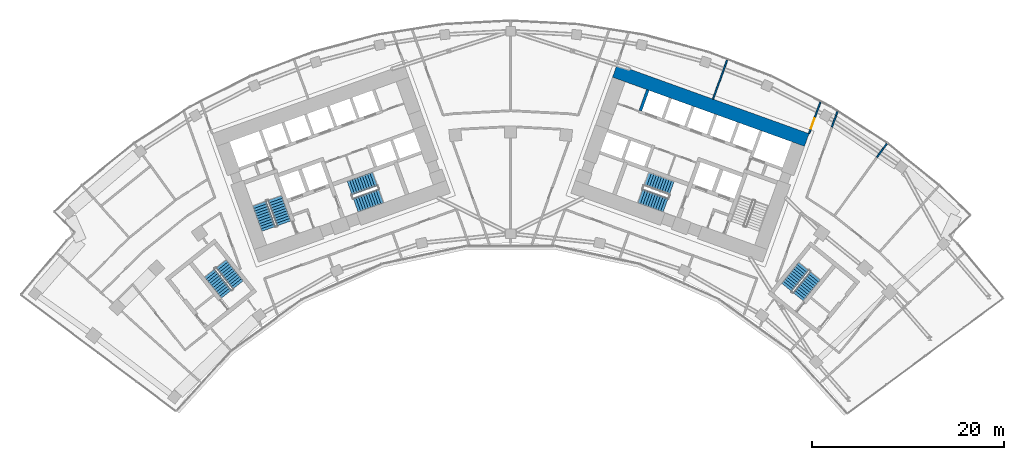
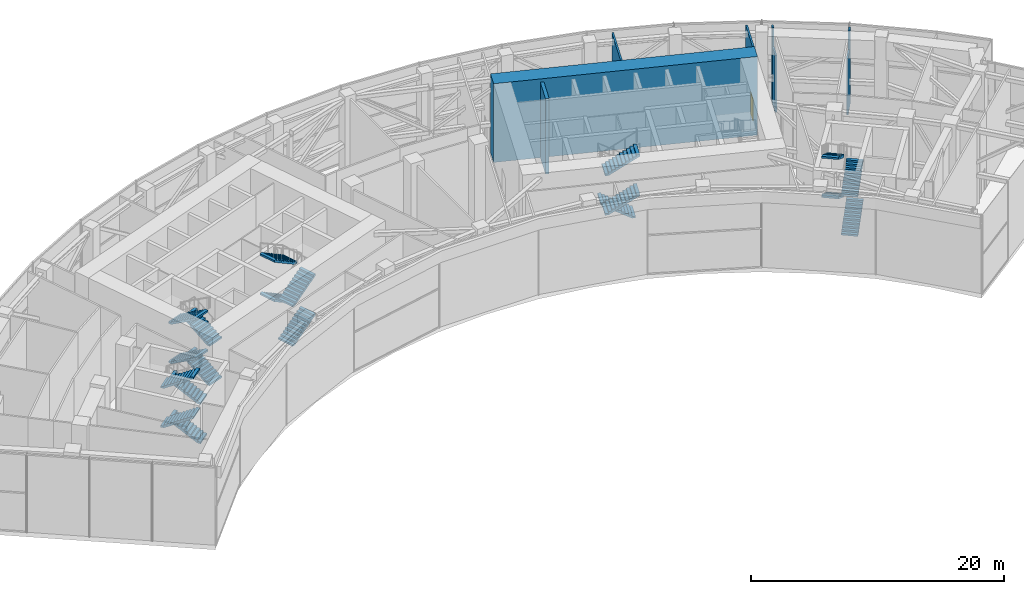
# One storey, part 28 of 32: 19 stair flights, 8 walls, 1 door, 1 opening, 5 elements without a shape of their own.
"""IFC4 building model written with IfcOpenShell, lengths in metres."""

from ifc_helpers import new_model, si_unit, direction, frame, frame_2d, origin, place, context, subcontext, project, spatial, polyline, rectangle, outline, extrude, material, layer, layer_set, type_object, element, fill, aggregate, save


model = new_model("IFC4")

# Units and contexts
model_context = context("Model", 3, precision=1e-05, world=origin(), true_north=direction((0.0, 1.0)))
body_context = subcontext(model_context, "Body", "Model", "MODEL_VIEW")
ifc_project = project(units=[si_unit("LENGTHUNIT", "METRE"), si_unit("AREAUNIT", "SQUARE_METRE"), si_unit("VOLUMEUNIT", "CUBIC_METRE"), si_unit("PLANEANGLEUNIT", "RADIAN"), si_unit("MASSUNIT", "GRAM", prefix="KILO")], contexts=[model_context])

# Site, building, storey
site_placement = place(None, origin())
site = spatial("IfcSite", under=ifc_project, at=site_placement, CompositionType="ELEMENT")
building_placement = place(site_placement, origin())
building = spatial("IfcBuilding", under=site, at=building_placement, Name="Stone Belt Terrace Tower", CompositionType="ELEMENT")
storey_placement = place(building_placement, frame((0.0, 0.0, 193.39990234375)))
storey = spatial("IfcBuildingStorey", under=building, at=storey_placement, Name="L47", CompositionType="ELEMENT", Elevation=193.39990234375)

# Walls
ifc_material_1 = material(Name="Concrete B80", Category="concrete")
ifc_layer_1 = layer(ifc_material_1, 1.39990234375)
ifc_layer_set_1 = layer_set([ifc_layer_1], Name="Core wall 1400 B80")
wall_type_1 = type_object("IfcWallType", Name="Core wall 1400 B80", PredefinedType="SHEAR", material=ifc_layer_set_1)
wall_1_placement = place(storey_placement, frame((10.81787109375, 61.362060546875, 0.0), z_axis=(0.0, 0.0, 1.0), x_axis=(0.940919704758, -0.338629752382, 0.0)))
element("IfcWall", 1, at=wall_1_placement, inside=storey, type_object=wall_type_1, Name="Core B wall convex L47", PredefinedType="SHEAR", context=body_context, shape_type="SweptSolid", body=[
    extrude(rectangle(XDim=21.199951171875, YDim=1.39990234375, at=frame_2d((10.60009765625, 0.0))), origin(), (0.0, 0.0, 1.0), 7.60009765625),
])
ifc_layer_2 = layer(ifc_material_1, 0.300048828125)
ifc_layer_set_2 = layer_set([ifc_layer_2], Name="Lift shaft wall 300")
wall_type_2 = type_object("IfcWallType", Name="Lift shaft wall 300", PredefinedType="SHEAR", material=ifc_layer_set_2)
wall_2_placement = place(storey_placement, frame((13.471435546875, 57.218505859375, 0.0), z_axis=(0.0, 0.0, 1.0), x_axis=(0.338587917, 0.940934759939, 0.0)))
element("IfcWall", 2, at=wall_2_placement, inside=storey, type_object=wall_type_2, Name="Core B wall", PredefinedType="SHEAR", context=body_context, shape_type="SweptSolid", body=[
    extrude(rectangle(XDim=2.300048828125, YDim=0.300048828125, at=frame_2d((1.14990234375, 0.0))), origin(), (0.0, 0.0, 1.0), 7.280029296875),
])

# Wall, opening, door
ifc_material_2 = material(Name="Gypsum board partition")
ifc_layer_3 = layer(ifc_material_2, 0.14990234375)
ifc_layer_set_3 = layer_set([ifc_layer_3], Name="PARTITION 150 EI 60")
wall_type_3 = type_object("IfcWallType", Name="PARTITION 150 EI 60", PredefinedType="PARTITIONING", material=ifc_layer_set_3)
wall_3_placement = place(storey_placement, frame((31.001953125, 54.842041015625, 0.0), z_axis=(0.0, 0.0, 1.0), x_axis=(0.338662585219, 0.940907887826, 0.0)))
wall_3 = element("IfcWall", 3, at=wall_3_placement, inside=storey, type_object=wall_type_3, Name="L47/wall/i024", PredefinedType="PARTITIONING", context=body_context, shape_type="SweptSolid", body=[
    extrude(rectangle(XDim=3.49560546875, YDim=0.14990234375, at=frame_2d((1.747802734375, 0.0))), origin(), (0.0, 0.0, 1.0), 7.280029296875),
])
opening_placement = place(wall_3_placement, frame((0.5693359375, 0.0, 0.0)))
opening = element("IfcOpeningElement", 4, at=opening_placement, cuts=wall_3, Name="Opening D-T3-10", PredefinedType="OPENING", context=body_context, shape_type="SweptSolid", body=[
    extrude(rectangle(XDim=1.10009765625, YDim=2.10009765625, at=frame_2d((0.550048828125, 1.050048828125))), frame((0.0, 0.0849609375, 0.0), z_axis=(0.0, -1.0, 0.0), x_axis=(1.0, 0.0, 0.0)), (0.0, 0.0, 1.0), 0.169921875),
])
ifc_material_3 = material(Name="Steel fire door set", Category="steel")
door_type = type_object("IfcDoorType", Name="SERVICE ROOM DOOR 1100 X 2100", OperationType="NOTDEFINED", PredefinedType="DOOR", material=ifc_material_3)
door_placement = place(opening_placement, origin())
door = element("IfcDoor", 5, at=door_placement, inside=storey, type_object=door_type, Name="L47/door/i10", OperationType="SINGLE_SWING_LEFT", OverallHeight=2.10009765625, OverallWidth=1.10009765625, PredefinedType="DOOR", context=body_context, shape_type="SweptSolid", body=[
    extrude(rectangle(XDim=1.10009765625, YDim=2.10009765625, at=frame_2d((0.550048828125, 1.050048828125))), frame((0.0, 0.02490234375, 0.0), z_axis=(0.0, -1.0, 0.0), x_axis=(1.0, 0.0, 0.0)), (0.0, 0.0, 1.0), 0.050048828125),
])
fill(opening, door)

# Walls
wall_4_placement = place(storey_placement, frame((33.951904296875, 57.131103515625, 0.0), z_axis=(0.0, 0.0, 1.0), x_axis=(-0.338636481649, -0.94091728292, 0.0)))
element("IfcWall", 6, at=wall_4_placement, inside=storey, type_object=wall_type_3, Name="L47/wall/i028-1", PredefinedType="PARTITIONING", context=body_context, shape_type="SweptSolid", body=[
    extrude(rectangle(XDim=0.416748046875, YDim=0.14990234375, at=frame_2d((0.20849609375, 0.0))), origin(), (0.0, 0.0, 1.0), 7.280029296875),
])
wall_5_placement = place(storey_placement, frame((33.810791015625, 56.739013671875, 0.0), z_axis=(0.0, 0.0, 1.0), x_axis=(-0.338563764909, -0.940943450527, 0.0)))
element("IfcWall", 7, at=wall_5_placement, inside=storey, type_object=wall_type_3, Name="L47/wall/i028-2", PredefinedType="PARTITIONING", context=body_context, shape_type="SweptSolid", body=[
    extrude(rectangle(XDim=1.277099609375, YDim=0.14990234375, at=frame_2d((0.638671875, 0.0))), origin(), (0.0, 0.0, 1.0), 5.47998046875),
])
wall_6_placement = place(storey_placement, frame((22.492919921875, 62.4990234375, 0.0), z_axis=(0.0, 0.0, 1.0), x_axis=(-0.338585491978, -0.94093563256, 0.0)))
element("IfcWall", 8, at=wall_6_placement, inside=storey, type_object=wall_type_3, Name="L47/wall/i035", PredefinedType="PARTITIONING", context=body_context, shape_type="SweptSolid", body=[
    extrude(rectangle(XDim=4.323486328125, YDim=0.14990234375, at=frame_2d((2.16162109375, 0.0))), origin(), (0.0, 0.0, 1.0), 7.280029296875),
])
wall_7_placement = place(storey_placement, frame((39.087890625, 53.7998046875, 0.0), z_axis=(0.0, 0.0, 1.0), x_axis=(-0.588092162665, -0.808793921967, 0.0)))
element("IfcWall", 9, at=wall_7_placement, inside=storey, type_object=wall_type_3, Name="L47/wall/i070-1", PredefinedType="PARTITIONING", context=body_context, shape_type="SweptSolid", body=[
    extrude(rectangle(XDim=0.547607421875, YDim=0.14990234375, at=frame_2d((0.27392578125, 0.0))), origin(), (0.0, 0.0, 1.0), 7.280029296875),
])
wall_8_placement = place(storey_placement, frame((38.765869140625, 53.35693359375, 0.0), z_axis=(0.0, 0.0, 1.0), x_axis=(-0.587810327285, -0.808998775733, 0.0)))
element("IfcWall", 10, at=wall_8_placement, inside=storey, type_object=wall_type_3, Name="L47/wall/i070-2", PredefinedType="PARTITIONING", context=body_context, shape_type="SweptSolid", body=[
    extrude(rectangle(XDim=1.205322265625, YDim=0.14990234375, at=frame_2d((0.6025390625, 0.0))), origin(), (0.0, 0.0, 1.0), 5.47998046875),
])

# Stair, stair flights
ifc_material_4 = material(Name="Concrete B40", Category="concrete")
stair_type = type_object("IfcStairType", Name="Exit stair 1500", PredefinedType="HALF_TURN_STAIR", material=ifc_material_4)
stair_1_placement = place(storey_placement, origin())
stair_1 = element("IfcStair", 11, at=stair_1_placement, inside=storey, type_object=stair_type, Name="L47 Exit stair 1 core A", PredefinedType="HALF_TURN_STAIR")
stair_flight_type = type_object("IfcStairFlightType", Name="Stair flight 1500", PredefinedType="STRAIGHT", material=ifc_material_4)
stair_flight_1_placement = place(storey_placement, frame((-23.55322265625, 45.51318359375, 0.0), z_axis=(0.0, 0.0, 1.0), x_axis=(-0.338624396177, 0.940921632398, 0.0)))
stair_flight_1 = element("IfcStairFlight", 12, at=stair_flight_1_placement, type_object=stair_flight_type, Name="ST1A flight 1", NumberOfRisers=11, NumberOfTreads=10, PredefinedType="STRAIGHT", RiserHeight=0.172727273, TreadLength=0.28, context=body_context, shape_type="SweptSolid", body=[
    extrude(outline(polyline([(0.0, 0.0), (0.0, 0.172607421875), (0.280029296875, 0.172607421875), (0.280029296875, 0.345458984375), (0.56005859375, 0.345458984375), (0.56005859375, 0.51806640625), (0.840087890625, 0.51806640625), (0.840087890625, 0.69091796875), (1.1201171875, 0.69091796875), (1.1201171875, 0.863525390625), (1.39990234375, 0.863525390625), (1.39990234375, 1.036376953125), (1.679931640625, 1.036376953125), (1.679931640625, 1.208984375), (1.9599609375, 1.208984375), (1.9599609375, 1.3818359375), (2.239990234375, 1.3818359375), (2.239990234375, 1.554443359375), (2.52001953125, 1.554443359375), (2.52001953125, 1.727294921875), (2.800048828125, 1.727294921875), (2.800048828125, 1.89990234375), (2.800048828125, 1.551025390625), (0.285400390625, 0.0), (0.0, 0.0)])), frame((0.0, 0.75, 0.0), z_axis=(0.0, -1.0, 0.0), x_axis=(1.0, 0.0, 0.0)), (0.0, 0.0, 1.0), 1.5),
])
stair_flight_2_placement = place(storey_placement, frame((-26.10107421875, 47.572021484375, 1.900146484375), z_axis=(0.0, 0.0, 1.0), x_axis=(0.338624396177, -0.940921632398, 0.0)))
stair_flight_2 = element("IfcStairFlight", 13, at=stair_flight_2_placement, type_object=stair_flight_type, Name="ST1A flight 2", NumberOfRisers=11, NumberOfTreads=10, PredefinedType="STRAIGHT", RiserHeight=0.172727273, TreadLength=0.28, context=body_context, shape_type="SweptSolid", body=[
    extrude(outline(polyline([(0.0, 0.0), (0.0, 0.172607421875), (0.280029296875, 0.172607421875), (0.280029296875, 0.345458984375), (0.56005859375, 0.345458984375), (0.56005859375, 0.51806640625), (0.840087890625, 0.51806640625), (0.840087890625, 0.69091796875), (1.1201171875, 0.69091796875), (1.1201171875, 0.863525390625), (1.39990234375, 0.863525390625), (1.39990234375, 1.036376953125), (1.679931640625, 1.036376953125), (1.679931640625, 1.208984375), (1.9599609375, 1.208984375), (1.9599609375, 1.3818359375), (2.239990234375, 1.3818359375), (2.239990234375, 1.554443359375), (2.52001953125, 1.554443359375), (2.52001953125, 1.727294921875), (2.800048828125, 1.727294921875), (2.800048828125, 1.89990234375), (2.800048828125, 1.551025390625), (0.285400390625, 0.0), (0.0, 0.0)])), frame((0.0, 0.75, 0.0), z_axis=(0.0, -1.0, 0.0), x_axis=(1.0, 0.0, 0.0)), (0.0, 0.0, 1.0), 1.5),
])
stair_flight_3_placement = place(storey_placement, frame((-23.55322265625, 45.51318359375, 3.800048828125), z_axis=(0.0, 0.0, 1.0), x_axis=(-0.338624396177, 0.940921632398, 0.0)))
stair_flight_3 = element("IfcStairFlight", 14, at=stair_flight_3_placement, type_object=stair_flight_type, Name="ST1A flight 3", NumberOfRisers=11, NumberOfTreads=10, PredefinedType="STRAIGHT", RiserHeight=0.172727273, TreadLength=0.28, context=body_context, shape_type="SweptSolid", body=[
    extrude(outline(polyline([(0.0, 0.0), (0.0, 0.172607421875), (0.280029296875, 0.172607421875), (0.280029296875, 0.345458984375), (0.56005859375, 0.345458984375), (0.56005859375, 0.51806640625), (0.840087890625, 0.51806640625), (0.840087890625, 0.69091796875), (1.1201171875, 0.69091796875), (1.1201171875, 0.863525390625), (1.39990234375, 0.863525390625), (1.39990234375, 1.036376953125), (1.679931640625, 1.036376953125), (1.679931640625, 1.208984375), (1.9599609375, 1.208984375), (1.9599609375, 1.3818359375), (2.239990234375, 1.3818359375), (2.239990234375, 1.554443359375), (2.52001953125, 1.554443359375), (2.52001953125, 1.727294921875), (2.800048828125, 1.727294921875), (2.800048828125, 1.89990234375), (2.800048828125, 1.551025390625), (0.285400390625, 0.0), (0.0, 0.0)])), frame((0.0, 0.75, 0.0), z_axis=(0.0, -1.0, 0.0), x_axis=(1.0, 0.0, 0.0)), (0.0, 0.0, 1.0), 1.5),
])
stair_flight_4_placement = place(storey_placement, frame((-26.10107421875, 47.572021484375, 5.7001953125), z_axis=(0.0, 0.0, 1.0), x_axis=(0.338624396177, -0.940921632398, 0.0)))
stair_flight_4 = element("IfcStairFlight", 15, at=stair_flight_4_placement, type_object=stair_flight_type, Name="ST1A flight 4", NumberOfRisers=11, NumberOfTreads=10, PredefinedType="STRAIGHT", RiserHeight=0.172727273, TreadLength=0.28, context=body_context, shape_type="SweptSolid", body=[
    extrude(outline(polyline([(0.0, 0.0), (0.0, 0.172607421875), (0.280029296875, 0.172607421875), (0.280029296875, 0.345458984375), (0.56005859375, 0.345458984375), (0.56005859375, 0.51806640625), (0.840087890625, 0.51806640625), (0.840087890625, 0.69091796875), (1.1201171875, 0.69091796875), (1.1201171875, 0.863525390625), (1.39990234375, 0.863525390625), (1.39990234375, 1.036376953125), (1.679931640625, 1.036376953125), (1.679931640625, 1.208984375), (1.9599609375, 1.208984375), (1.9599609375, 1.3818359375), (2.239990234375, 1.3818359375), (2.239990234375, 1.554443359375), (2.52001953125, 1.554443359375), (2.52001953125, 1.727294921875), (2.800048828125, 1.727294921875), (2.800048828125, 1.89990234375), (2.800048828125, 1.551025390625), (0.285400390625, 0.0), (0.0, 0.0)])), frame((0.0, 0.75, 0.0), z_axis=(0.0, -1.0, 0.0), x_axis=(1.0, 0.0, 0.0)), (0.0, 0.0, 1.0), 1.5),
])
aggregate(stair_1, [stair_flight_1, stair_flight_2, stair_flight_3, stair_flight_4])

stair_2_placement = place(storey_placement, origin())
stair_2 = element("IfcStair", 16, at=stair_2_placement, inside=storey, type_object=stair_type, Name="L47 Exit stair 2 core A", PredefinedType="HALF_TURN_STAIR")
stair_flight_5_placement = place(storey_placement, frame((-16.101318359375, 47.39794921875, 0.0), z_axis=(0.0, 0.0, 1.0), x_axis=(0.940921632398, 0.338624396177, 0.0)))
stair_flight_5 = element("IfcStairFlight", 17, at=stair_flight_5_placement, type_object=stair_flight_type, Name="ST2A flight 1", NumberOfRisers=11, NumberOfTreads=10, PredefinedType="STRAIGHT", RiserHeight=0.172727273, TreadLength=0.28, context=body_context, shape_type="SweptSolid", body=[
    extrude(outline(polyline([(0.0, 0.0), (0.0, 0.172607421875), (0.280029296875, 0.172607421875), (0.280029296875, 0.345458984375), (0.56005859375, 0.345458984375), (0.56005859375, 0.51806640625), (0.840087890625, 0.51806640625), (0.840087890625, 0.69091796875), (1.1201171875, 0.69091796875), (1.1201171875, 0.863525390625), (1.39990234375, 0.863525390625), (1.39990234375, 1.036376953125), (1.679931640625, 1.036376953125), (1.679931640625, 1.208984375), (1.9599609375, 1.208984375), (1.9599609375, 1.3818359375), (2.239990234375, 1.3818359375), (2.239990234375, 1.554443359375), (2.52001953125, 1.554443359375), (2.52001953125, 1.727294921875), (2.800048828125, 1.727294921875), (2.800048828125, 1.89990234375), (2.800048828125, 1.551025390625), (0.285400390625, 0.0), (0.0, 0.0)])), frame((0.0, 0.75, 0.0), z_axis=(0.0, -1.0, 0.0), x_axis=(1.0, 0.0, 0.0)), (0.0, 0.0, 1.0), 1.5),
])
stair_flight_6_placement = place(storey_placement, frame((-14.110107421875, 50.1337890625, 1.900146484375), z_axis=(0.0, 0.0, 1.0), x_axis=(-0.940921632398, -0.338624396177, 0.0)))
stair_flight_6 = element("IfcStairFlight", 18, at=stair_flight_6_placement, type_object=stair_flight_type, Name="ST2A flight 2", NumberOfRisers=11, NumberOfTreads=10, PredefinedType="STRAIGHT", RiserHeight=0.172727273, TreadLength=0.28, context=body_context, shape_type="SweptSolid", body=[
    extrude(outline(polyline([(0.0, 0.0), (0.0, 0.172607421875), (0.280029296875, 0.172607421875), (0.280029296875, 0.345458984375), (0.56005859375, 0.345458984375), (0.56005859375, 0.51806640625), (0.840087890625, 0.51806640625), (0.840087890625, 0.69091796875), (1.1201171875, 0.69091796875), (1.1201171875, 0.863525390625), (1.39990234375, 0.863525390625), (1.39990234375, 1.036376953125), (1.679931640625, 1.036376953125), (1.679931640625, 1.208984375), (1.9599609375, 1.208984375), (1.9599609375, 1.3818359375), (2.239990234375, 1.3818359375), (2.239990234375, 1.554443359375), (2.52001953125, 1.554443359375), (2.52001953125, 1.727294921875), (2.800048828125, 1.727294921875), (2.800048828125, 1.89990234375), (2.800048828125, 1.551025390625), (0.285400390625, 0.0), (0.0, 0.0)])), frame((0.0, 0.75, 0.0), z_axis=(0.0, -1.0, 0.0), x_axis=(1.0, 0.0, 0.0)), (0.0, 0.0, 1.0), 1.5),
])
stair_flight_7_placement = place(storey_placement, frame((-16.101318359375, 47.39794921875, 3.800048828125), z_axis=(0.0, 0.0, 1.0), x_axis=(0.940921632398, 0.338624396177, 0.0)))
stair_flight_7 = element("IfcStairFlight", 19, at=stair_flight_7_placement, type_object=stair_flight_type, Name="ST2A flight 3", NumberOfRisers=11, NumberOfTreads=10, PredefinedType="STRAIGHT", RiserHeight=0.172727273, TreadLength=0.28, context=body_context, shape_type="SweptSolid", body=[
    extrude(outline(polyline([(0.0, 0.0), (0.0, 0.172607421875), (0.280029296875, 0.172607421875), (0.280029296875, 0.345458984375), (0.56005859375, 0.345458984375), (0.56005859375, 0.51806640625), (0.840087890625, 0.51806640625), (0.840087890625, 0.69091796875), (1.1201171875, 0.69091796875), (1.1201171875, 0.863525390625), (1.39990234375, 0.863525390625), (1.39990234375, 1.036376953125), (1.679931640625, 1.036376953125), (1.679931640625, 1.208984375), (1.9599609375, 1.208984375), (1.9599609375, 1.3818359375), (2.239990234375, 1.3818359375), (2.239990234375, 1.554443359375), (2.52001953125, 1.554443359375), (2.52001953125, 1.727294921875), (2.800048828125, 1.727294921875), (2.800048828125, 1.89990234375), (2.800048828125, 1.551025390625), (0.285400390625, 0.0), (0.0, 0.0)])), frame((0.0, 0.75, 0.0), z_axis=(0.0, -1.0, 0.0), x_axis=(1.0, 0.0, 0.0)), (0.0, 0.0, 1.0), 1.5),
])
stair_flight_8_placement = place(storey_placement, frame((-14.110107421875, 50.1337890625, 5.7001953125), z_axis=(0.0, 0.0, 1.0), x_axis=(-0.940921632398, -0.338624396177, 0.0)))
stair_flight_8 = element("IfcStairFlight", 20, at=stair_flight_8_placement, type_object=stair_flight_type, Name="ST2A flight 4", NumberOfRisers=11, NumberOfTreads=10, PredefinedType="STRAIGHT", RiserHeight=0.172727273, TreadLength=0.28, context=body_context, shape_type="SweptSolid", body=[
    extrude(outline(polyline([(0.0, 0.0), (0.0, 0.172607421875), (0.280029296875, 0.172607421875), (0.280029296875, 0.345458984375), (0.56005859375, 0.345458984375), (0.56005859375, 0.51806640625), (0.840087890625, 0.51806640625), (0.840087890625, 0.69091796875), (1.1201171875, 0.69091796875), (1.1201171875, 0.863525390625), (1.39990234375, 0.863525390625), (1.39990234375, 1.036376953125), (1.679931640625, 1.036376953125), (1.679931640625, 1.208984375), (1.9599609375, 1.208984375), (1.9599609375, 1.3818359375), (2.239990234375, 1.3818359375), (2.239990234375, 1.554443359375), (2.52001953125, 1.554443359375), (2.52001953125, 1.727294921875), (2.800048828125, 1.727294921875), (2.800048828125, 1.89990234375), (2.800048828125, 1.551025390625), (0.285400390625, 0.0), (0.0, 0.0)])), frame((0.0, 0.75, 0.0), z_axis=(0.0, -1.0, 0.0), x_axis=(1.0, 0.0, 0.0)), (0.0, 0.0, 1.0), 1.5),
])
aggregate(stair_2, [stair_flight_5, stair_flight_6, stair_flight_7, stair_flight_8])

stair_3_placement = place(storey_placement, origin())
stair_3 = element("IfcStair", 21, at=stair_3_placement, inside=storey, type_object=stair_type, Name="L47 Exit stair 2 core B", PredefinedType="HALF_TURN_STAIR")
stair_flight_9_placement = place(storey_placement, frame((16.74462890625, 49.185546875, 0.0), z_axis=(0.0, 0.0, 1.0), x_axis=(-0.940921632398, 0.338624396177, 0.0)))
stair_flight_9 = element("IfcStairFlight", 22, at=stair_flight_9_placement, type_object=stair_flight_type, Name="ST2B flight 1", NumberOfRisers=11, NumberOfTreads=10, PredefinedType="STRAIGHT", RiserHeight=0.172727273, TreadLength=0.28, context=body_context, shape_type="SweptSolid", body=[
    extrude(outline(polyline([(0.0, 0.0), (0.0, 0.172607421875), (0.280029296875, 0.172607421875), (0.280029296875, 0.345458984375), (0.56005859375, 0.345458984375), (0.56005859375, 0.51806640625), (0.840087890625, 0.51806640625), (0.840087890625, 0.69091796875), (1.1201171875, 0.69091796875), (1.1201171875, 0.863525390625), (1.39990234375, 0.863525390625), (1.39990234375, 1.036376953125), (1.679931640625, 1.036376953125), (1.679931640625, 1.208984375), (1.9599609375, 1.208984375), (1.9599609375, 1.3818359375), (2.239990234375, 1.3818359375), (2.239990234375, 1.554443359375), (2.52001953125, 1.554443359375), (2.52001953125, 1.727294921875), (2.800048828125, 1.727294921875), (2.800048828125, 1.89990234375), (2.800048828125, 1.551025390625), (0.285400390625, 0.0), (0.0, 0.0)])), frame((0.0, 0.75, 0.0), z_axis=(0.0, -1.0, 0.0), x_axis=(1.0, 0.0, 0.0)), (0.0, 0.0, 1.0), 1.5),
])
stair_flight_10_placement = place(storey_placement, frame((13.466796875, 48.345947265625, 1.900146484375), z_axis=(0.0, 0.0, 1.0), x_axis=(0.940921632398, -0.338624396177, 0.0)))
stair_flight_10 = element("IfcStairFlight", 23, at=stair_flight_10_placement, type_object=stair_flight_type, Name="ST2B flight 2", NumberOfRisers=11, NumberOfTreads=10, PredefinedType="STRAIGHT", RiserHeight=0.172727273, TreadLength=0.28, context=body_context, shape_type="SweptSolid", body=[
    extrude(outline(polyline([(0.0, 0.0), (0.0, 0.172607421875), (0.280029296875, 0.172607421875), (0.280029296875, 0.345458984375), (0.56005859375, 0.345458984375), (0.56005859375, 0.51806640625), (0.840087890625, 0.51806640625), (0.840087890625, 0.69091796875), (1.1201171875, 0.69091796875), (1.1201171875, 0.863525390625), (1.39990234375, 0.863525390625), (1.39990234375, 1.036376953125), (1.679931640625, 1.036376953125), (1.679931640625, 1.208984375), (1.9599609375, 1.208984375), (1.9599609375, 1.3818359375), (2.239990234375, 1.3818359375), (2.239990234375, 1.554443359375), (2.52001953125, 1.554443359375), (2.52001953125, 1.727294921875), (2.800048828125, 1.727294921875), (2.800048828125, 1.89990234375), (2.800048828125, 1.551025390625), (0.285400390625, 0.0), (0.0, 0.0)])), frame((0.0, 0.75, 0.0), z_axis=(0.0, -1.0, 0.0), x_axis=(1.0, 0.0, 0.0)), (0.0, 0.0, 1.0), 1.5),
])
stair_flight_11_placement = place(storey_placement, frame((13.466796875, 48.345947265625, 5.7001953125), z_axis=(0.0, 0.0, 1.0), x_axis=(0.940921632398, -0.338624396177, 0.0)))
stair_flight_11 = element("IfcStairFlight", 24, at=stair_flight_11_placement, type_object=stair_flight_type, Name="ST2B flight 4", NumberOfRisers=11, NumberOfTreads=10, PredefinedType="STRAIGHT", RiserHeight=0.172727273, TreadLength=0.28, context=body_context, shape_type="SweptSolid", body=[
    extrude(outline(polyline([(0.0, 0.0), (0.0, 0.172607421875), (0.280029296875, 0.172607421875), (0.280029296875, 0.345458984375), (0.56005859375, 0.345458984375), (0.56005859375, 0.51806640625), (0.840087890625, 0.51806640625), (0.840087890625, 0.69091796875), (1.1201171875, 0.69091796875), (1.1201171875, 0.863525390625), (1.39990234375, 0.863525390625), (1.39990234375, 1.036376953125), (1.679931640625, 1.036376953125), (1.679931640625, 1.208984375), (1.9599609375, 1.208984375), (1.9599609375, 1.3818359375), (2.239990234375, 1.3818359375), (2.239990234375, 1.554443359375), (2.52001953125, 1.554443359375), (2.52001953125, 1.727294921875), (2.800048828125, 1.727294921875), (2.800048828125, 1.89990234375), (2.800048828125, 1.551025390625), (0.285400390625, 0.0), (0.0, 0.0)])), frame((0.0, 0.75, 0.0), z_axis=(0.0, -1.0, 0.0), x_axis=(1.0, 0.0, 0.0)), (0.0, 0.0, 1.0), 1.5),
])
aggregate(stair_3, [stair_flight_9, stair_flight_10, stair_flight_11])

stair_4_placement = place(storey_placement, origin())
stair_4 = element("IfcStair", 25, at=stair_4_placement, inside=storey, type_object=stair_type, Name="L47 Exit stair 3A", PredefinedType="HALF_TURN_STAIR")
stair_flight_12_placement = place(storey_placement, frame((-28.325439453125, 39.1240234375, 0.0), z_axis=(0.0, 0.0, 1.0), x_axis=(-0.623121363691, 0.782125160132, 0.0)))
stair_flight_12 = element("IfcStairFlight", 26, at=stair_flight_12_placement, type_object=stair_flight_type, Name="ST3A flight 1", NumberOfRisers=11, NumberOfTreads=10, PredefinedType="STRAIGHT", RiserHeight=0.172727273, TreadLength=0.28, context=body_context, shape_type="SweptSolid", body=[
    extrude(outline(polyline([(0.0, 0.0), (0.0, 0.172607421875), (0.280029296875, 0.172607421875), (0.280029296875, 0.345458984375), (0.56005859375, 0.345458984375), (0.56005859375, 0.51806640625), (0.840087890625, 0.51806640625), (0.840087890625, 0.69091796875), (1.1201171875, 0.69091796875), (1.1201171875, 0.863525390625), (1.39990234375, 0.863525390625), (1.39990234375, 1.036376953125), (1.679931640625, 1.036376953125), (1.679931640625, 1.208984375), (1.9599609375, 1.208984375), (1.9599609375, 1.3818359375), (2.239990234375, 1.3818359375), (2.239990234375, 1.554443359375), (2.52001953125, 1.554443359375), (2.52001953125, 1.727294921875), (2.800048828125, 1.727294921875), (2.800048828125, 1.89990234375), (2.800048828125, 1.551025390625), (0.285400390625, 0.0), (0.0, 0.0)])), frame((0.0, 0.675048828125, 0.0), z_axis=(0.0, -1.0, 0.0), x_axis=(1.0, 0.0, 0.0)), (0.0, 0.0, 1.0), 1.35009765625),
])
stair_flight_13_placement = place(storey_placement, frame((-31.282470703125, 40.34814453125, 1.900146484375), z_axis=(0.0, 0.0, 1.0), x_axis=(0.623121363691, -0.782125160132, 0.0)))
stair_flight_13 = element("IfcStairFlight", 27, at=stair_flight_13_placement, type_object=stair_flight_type, Name="ST3A flight 2", NumberOfRisers=11, NumberOfTreads=10, PredefinedType="STRAIGHT", RiserHeight=0.172727273, TreadLength=0.28, context=body_context, shape_type="SweptSolid", body=[
    extrude(outline(polyline([(0.0, 0.0), (0.0, 0.172607421875), (0.280029296875, 0.172607421875), (0.280029296875, 0.345458984375), (0.56005859375, 0.345458984375), (0.56005859375, 0.51806640625), (0.840087890625, 0.51806640625), (0.840087890625, 0.69091796875), (1.1201171875, 0.69091796875), (1.1201171875, 0.863525390625), (1.39990234375, 0.863525390625), (1.39990234375, 1.036376953125), (1.679931640625, 1.036376953125), (1.679931640625, 1.208984375), (1.9599609375, 1.208984375), (1.9599609375, 1.3818359375), (2.239990234375, 1.3818359375), (2.239990234375, 1.554443359375), (2.52001953125, 1.554443359375), (2.52001953125, 1.727294921875), (2.800048828125, 1.727294921875), (2.800048828125, 1.89990234375), (2.800048828125, 1.551025390625), (0.285400390625, 0.0), (0.0, 0.0)])), frame((0.0, 0.675048828125, 0.0), z_axis=(0.0, -1.0, 0.0), x_axis=(1.0, 0.0, 0.0)), (0.0, 0.0, 1.0), 1.35009765625),
])
stair_flight_14_placement = place(storey_placement, frame((-28.325439453125, 39.1240234375, 3.800048828125), z_axis=(0.0, 0.0, 1.0), x_axis=(-0.623121363691, 0.782125160132, 0.0)))
stair_flight_14 = element("IfcStairFlight", 28, at=stair_flight_14_placement, type_object=stair_flight_type, Name="ST3A flight 3", NumberOfRisers=11, NumberOfTreads=10, PredefinedType="STRAIGHT", RiserHeight=0.172727273, TreadLength=0.28, context=body_context, shape_type="SweptSolid", body=[
    extrude(outline(polyline([(0.0, 0.0), (0.0, 0.172607421875), (0.280029296875, 0.172607421875), (0.280029296875, 0.345458984375), (0.56005859375, 0.345458984375), (0.56005859375, 0.51806640625), (0.840087890625, 0.51806640625), (0.840087890625, 0.69091796875), (1.1201171875, 0.69091796875), (1.1201171875, 0.863525390625), (1.39990234375, 0.863525390625), (1.39990234375, 1.036376953125), (1.679931640625, 1.036376953125), (1.679931640625, 1.208984375), (1.9599609375, 1.208984375), (1.9599609375, 1.3818359375), (2.239990234375, 1.3818359375), (2.239990234375, 1.554443359375), (2.52001953125, 1.554443359375), (2.52001953125, 1.727294921875), (2.800048828125, 1.727294921875), (2.800048828125, 1.89990234375), (2.800048828125, 1.551025390625), (0.285400390625, 0.0), (0.0, 0.0)])), frame((0.0, 0.675048828125, 0.0), z_axis=(0.0, -1.0, 0.0), x_axis=(1.0, 0.0, 0.0)), (0.0, 0.0, 1.0), 1.35009765625),
])
stair_flight_15_placement = place(storey_placement, frame((-31.282470703125, 40.34814453125, 5.7001953125), z_axis=(0.0, 0.0, 1.0), x_axis=(0.623121363691, -0.782125160132, 0.0)))
stair_flight_15 = element("IfcStairFlight", 29, at=stair_flight_15_placement, type_object=stair_flight_type, Name="ST3A flight 4", NumberOfRisers=11, NumberOfTreads=10, PredefinedType="STRAIGHT", RiserHeight=0.172727273, TreadLength=0.28, context=body_context, shape_type="SweptSolid", body=[
    extrude(outline(polyline([(0.0, 0.0), (0.0, 0.172607421875), (0.280029296875, 0.172607421875), (0.280029296875, 0.345458984375), (0.56005859375, 0.345458984375), (0.56005859375, 0.51806640625), (0.840087890625, 0.51806640625), (0.840087890625, 0.69091796875), (1.1201171875, 0.69091796875), (1.1201171875, 0.863525390625), (1.39990234375, 0.863525390625), (1.39990234375, 1.036376953125), (1.679931640625, 1.036376953125), (1.679931640625, 1.208984375), (1.9599609375, 1.208984375), (1.9599609375, 1.3818359375), (2.239990234375, 1.3818359375), (2.239990234375, 1.554443359375), (2.52001953125, 1.554443359375), (2.52001953125, 1.727294921875), (2.800048828125, 1.727294921875), (2.800048828125, 1.89990234375), (2.800048828125, 1.551025390625), (0.285400390625, 0.0), (0.0, 0.0)])), frame((0.0, 0.675048828125, 0.0), z_axis=(0.0, -1.0, 0.0), x_axis=(1.0, 0.0, 0.0)), (0.0, 0.0, 1.0), 1.35009765625),
])
aggregate(stair_4, [stair_flight_12, stair_flight_13, stair_flight_14, stair_flight_15])

stair_5_placement = place(storey_placement, origin())
stair_5 = element("IfcStair", 30, at=stair_5_placement, inside=storey, type_object=stair_type, Name="L47 Exit stair 3B", PredefinedType="HALF_TURN_STAIR")
stair_flight_16_placement = place(storey_placement, frame((29.88330078125, 37.887939453125, 0.0), z_axis=(0.0, 0.0, 1.0), x_axis=(0.630205749599, 0.776428176441, 0.0)))
stair_flight_16 = element("IfcStairFlight", 31, at=stair_flight_16_placement, type_object=stair_flight_type, Name="ST3B flight 1", NumberOfRisers=11, NumberOfTreads=10, PredefinedType="STRAIGHT", RiserHeight=0.172727273, TreadLength=0.28, context=body_context, shape_type="SweptSolid", body=[
    extrude(outline(polyline([(0.0, 0.0), (0.0, 0.172607421875), (0.280029296875, 0.172607421875), (0.280029296875, 0.345458984375), (0.56005859375, 0.345458984375), (0.56005859375, 0.51806640625), (0.840087890625, 0.51806640625), (0.840087890625, 0.69091796875), (1.1201171875, 0.69091796875), (1.1201171875, 0.863525390625), (1.39990234375, 0.863525390625), (1.39990234375, 1.036376953125), (1.679931640625, 1.036376953125), (1.679931640625, 1.208984375), (1.9599609375, 1.208984375), (1.9599609375, 1.3818359375), (2.239990234375, 1.3818359375), (2.239990234375, 1.554443359375), (2.52001953125, 1.554443359375), (2.52001953125, 1.727294921875), (2.800048828125, 1.727294921875), (2.800048828125, 1.89990234375), (2.800048828125, 1.551025390625), (0.285400390625, 0.0), (0.0, 0.0)])), frame((0.0, 0.675048828125, 0.0), z_axis=(0.0, -1.0, 0.0), x_axis=(1.0, 0.0, 0.0)), (0.0, 0.0, 1.0), 1.35009765625),
])
stair_flight_17_placement = place(storey_placement, frame((30.4443359375, 41.038818359375, 1.900146484375), z_axis=(0.0, 0.0, 1.0), x_axis=(-0.630205749599, -0.776428176441, 0.0)))
stair_flight_17 = element("IfcStairFlight", 32, at=stair_flight_17_placement, type_object=stair_flight_type, Name="ST3B flight 2", NumberOfRisers=11, NumberOfTreads=10, PredefinedType="STRAIGHT", RiserHeight=0.172727273, TreadLength=0.28, context=body_context, shape_type="SweptSolid", body=[
    extrude(outline(polyline([(0.0, 0.0), (0.0, 0.172607421875), (0.280029296875, 0.172607421875), (0.280029296875, 0.345458984375), (0.56005859375, 0.345458984375), (0.56005859375, 0.51806640625), (0.840087890625, 0.51806640625), (0.840087890625, 0.69091796875), (1.1201171875, 0.69091796875), (1.1201171875, 0.863525390625), (1.39990234375, 0.863525390625), (1.39990234375, 1.036376953125), (1.679931640625, 1.036376953125), (1.679931640625, 1.208984375), (1.9599609375, 1.208984375), (1.9599609375, 1.3818359375), (2.239990234375, 1.3818359375), (2.239990234375, 1.554443359375), (2.52001953125, 1.554443359375), (2.52001953125, 1.727294921875), (2.800048828125, 1.727294921875), (2.800048828125, 1.89990234375), (2.800048828125, 1.551025390625), (0.285400390625, 0.0), (0.0, 0.0)])), frame((0.0, 0.675048828125, 0.0), z_axis=(0.0, -1.0, 0.0), x_axis=(1.0, 0.0, 0.0)), (0.0, 0.0, 1.0), 1.35009765625),
])
stair_flight_18_placement = place(storey_placement, frame((29.88330078125, 37.887939453125, 3.800048828125), z_axis=(0.0, 0.0, 1.0), x_axis=(0.630205749599, 0.776428176441, 0.0)))
stair_flight_18 = element("IfcStairFlight", 33, at=stair_flight_18_placement, type_object=stair_flight_type, Name="ST3B flight 3", NumberOfRisers=11, NumberOfTreads=10, PredefinedType="STRAIGHT", RiserHeight=0.172727273, TreadLength=0.28, context=body_context, shape_type="SweptSolid", body=[
    extrude(outline(polyline([(0.0, 0.0), (0.0, 0.172607421875), (0.280029296875, 0.172607421875), (0.280029296875, 0.345458984375), (0.56005859375, 0.345458984375), (0.56005859375, 0.51806640625), (0.840087890625, 0.51806640625), (0.840087890625, 0.69091796875), (1.1201171875, 0.69091796875), (1.1201171875, 0.863525390625), (1.39990234375, 0.863525390625), (1.39990234375, 1.036376953125), (1.679931640625, 1.036376953125), (1.679931640625, 1.208984375), (1.9599609375, 1.208984375), (1.9599609375, 1.3818359375), (2.239990234375, 1.3818359375), (2.239990234375, 1.554443359375), (2.52001953125, 1.554443359375), (2.52001953125, 1.727294921875), (2.800048828125, 1.727294921875), (2.800048828125, 1.89990234375), (2.800048828125, 1.551025390625), (0.285400390625, 0.0), (0.0, 0.0)])), frame((0.0, 0.675048828125, 0.0), z_axis=(0.0, -1.0, 0.0), x_axis=(1.0, 0.0, 0.0)), (0.0, 0.0, 1.0), 1.35009765625),
])
stair_flight_19_placement = place(storey_placement, frame((30.4443359375, 41.038818359375, 5.7001953125), z_axis=(0.0, 0.0, 1.0), x_axis=(-0.630205749599, -0.776428176441, 0.0)))
stair_flight_19 = element("IfcStairFlight", 34, at=stair_flight_19_placement, type_object=stair_flight_type, Name="ST3B flight 4", NumberOfRisers=11, NumberOfTreads=10, PredefinedType="STRAIGHT", RiserHeight=0.172727273, TreadLength=0.28, context=body_context, shape_type="SweptSolid", body=[
    extrude(outline(polyline([(0.0, 0.0), (0.0, 0.172607421875), (0.280029296875, 0.172607421875), (0.280029296875, 0.345458984375), (0.56005859375, 0.345458984375), (0.56005859375, 0.51806640625), (0.840087890625, 0.51806640625), (0.840087890625, 0.69091796875), (1.1201171875, 0.69091796875), (1.1201171875, 0.863525390625), (1.39990234375, 0.863525390625), (1.39990234375, 1.036376953125), (1.679931640625, 1.036376953125), (1.679931640625, 1.208984375), (1.9599609375, 1.208984375), (1.9599609375, 1.3818359375), (2.239990234375, 1.3818359375), (2.239990234375, 1.554443359375), (2.52001953125, 1.554443359375), (2.52001953125, 1.727294921875), (2.800048828125, 1.727294921875), (2.800048828125, 1.89990234375), (2.800048828125, 1.551025390625), (0.285400390625, 0.0), (0.0, 0.0)])), frame((0.0, 0.675048828125, 0.0), z_axis=(0.0, -1.0, 0.0), x_axis=(1.0, 0.0, 0.0)), (0.0, 0.0, 1.0), 1.35009765625),
])
aggregate(stair_5, [stair_flight_16, stair_flight_17, stair_flight_18, stair_flight_19])

save(model, "model.ifc")
